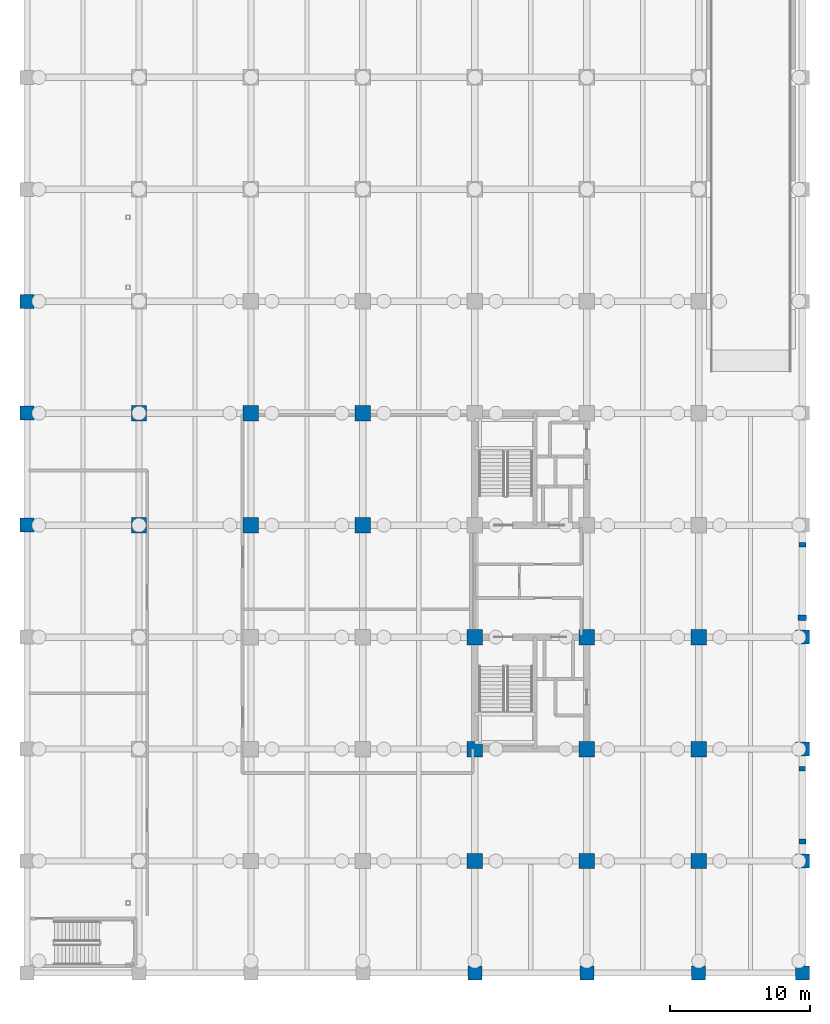
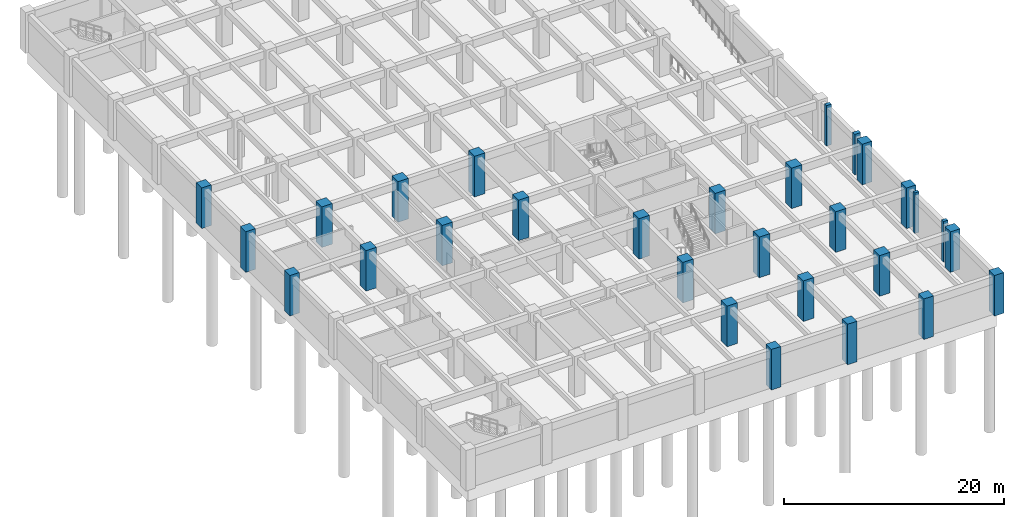
# One storey, part 3 of 15: 29 columns.
"""IFC4 building model written with IfcOpenShell, lengths in metres."""

from ifc_helpers import new_model, si_unit, direction, frame, origin, origin_2d, place, context, subcontext, project, spatial, rectangle, extrude, material, material_profile, profile_set, type_object, element, save


model = new_model("IFC4")

# Units and contexts
model_context = context("Model", 3, precision=1e-05, world=origin(), true_north=direction((0.0, 1.0)))
body_context = subcontext(model_context, "Body", "Model", "MODEL_VIEW")
ifc_project = project(units=[si_unit("LENGTHUNIT", "METRE"), si_unit("AREAUNIT", "SQUARE_METRE"), si_unit("VOLUMEUNIT", "CUBIC_METRE"), si_unit("PLANEANGLEUNIT", "RADIAN"), si_unit("MASSUNIT", "GRAM", prefix="KILO")], contexts=[model_context])

# Site, building, storey
site_placement = place(None, origin())
site = spatial("IfcSite", under=ifc_project, at=site_placement, CompositionType="ELEMENT")
building_placement = place(site_placement, origin())
building = spatial("IfcBuilding", under=site, at=building_placement, Name="Canggui Botanical Conservatory", CompositionType="ELEMENT")
storey_placement = place(building_placement, frame((0.0, 0.0, -9.0)))
storey = spatial("IfcBuildingStorey", under=building, at=storey_placement, Name="B2", CompositionType="ELEMENT", Elevation=-9.0)

# Columns
ifc_material_1 = material(Name="Concrete C50", Category="concrete")
ifc_material_profile_1 = material_profile(ifc_material_1, rectangle(XDim=1.10009765625, YDim=1.10009765625, at=origin_2d()), Name="RC 1100x1100")
ifc_profile_set_1 = profile_set([ifc_material_profile_1], Name="Concrete C50")
column_type_1 = type_object("IfcColumnType", Name="COL-KZ01", PredefinedType="COLUMN", material=ifc_profile_set_1)
for number, where, z_axis, x_axis, name in (
    (1, (130.0, 58.0, 0.0), (0.0, 0.0, 1.0), (1.0, 0.0, 0.0), "Tower RC Column B2 (130,58)"),
    (2, (130.0, 66.0, 0.0), (0.0, 0.0, 1.0), (1.0, 0.0, 0.0), "Tower RC Column B2 (130,66)"),
    (3, (138.0, 58.0, 0.0), (0.0, 0.0, 1.0), (1.0, 0.0, 0.0), "Tower RC Column B2 (138,58)"),
    (4, (138.0, 66.0, 0.0), (0.0, 0.0, 1.0), (1.0, 0.0, 0.0), "Tower RC Column B2 (138,66)"),
    (5, (146.0, 58.0, 0.0), (0.0, 0.0, 1.0), (1.0, 0.0, 0.0), "Tower RC Column B2 (146,58)"),
    (6, (146.0, 66.0, 0.0), (0.0, 0.0, 1.0), (1.0, 0.0, 0.0), "Tower RC Column B2 (146,66)"),
    (7, (154.0, 34.0, 0.0), (0.0, 0.0, 1.0), (1.0, 0.0, 0.0), "Tower RC Column B2 (154,34)"),
    (8, (154.0, 42.0, 0.0), (0.0, 0.0, 1.0), (1.0, 0.0, 0.0), "Tower RC Column B2 (154,42)"),
    (9, (154.0, 50.0, 0.0), (0.0, 0.0, 1.0), (1.0, 0.0, 0.0), "Tower RC Column B2 (154,50)"),
    (10, (162.0, 34.0, 0.0), (0.0, 0.0, 1.0), (1.0, 0.0, 0.0), "Tower RC Column B2 (162,34)"),
    (11, (162.0, 42.0, 0.0), (0.0, 0.0, 1.0), (1.0, 0.0, 0.0), "Tower RC Column B2 (162,42)"),
    (12, (162.0, 50.0, 0.0), (0.0, 0.0, 1.0), (1.0, 0.0, 0.0), "Tower RC Column B2 (162,50)"),
    (13, (170.0, 34.0, 0.0), (0.0, 0.0, 1.0), (1.0, 0.0, 0.0), "Tower RC Column B2 (170,34)"),
    (14, (170.0, 42.0, 0.0), (0.0, 0.0, 1.0), (1.0, 0.0, 0.0), "Tower RC Column B2 (170,42)"),
    (15, (170.0, 50.0, 0.0), (0.0, 0.0, 1.0), (1.0, 0.0, 0.0), "Tower RC Column B2 (170,50)"),
):
    element("IfcColumn", number, at=place(storey_placement, frame(where, z_axis=z_axis, x_axis=x_axis)), inside=storey, type_object=column_type_1, Name=name, PredefinedType="COLUMN", context=body_context, shape_type="SweptSolid", body=[
        extrude(rectangle(XDim=1.10009765625, YDim=1.10009765625, at=origin_2d()), origin(), (0.0, 0.0, 1.0), 4.5),
    ])
ifc_material_profile_2 = material_profile(ifc_material_1, rectangle(XDim=1.0, YDim=1.0, at=origin_2d()), Name="RC 1000x1000")
ifc_profile_set_2 = profile_set([ifc_material_profile_2], Name="Concrete C50")
column_type_2 = type_object("IfcColumnType", Name="COL-KZ03", PredefinedType="COLUMN", material=ifc_profile_set_2)
for number, where, z_axis, x_axis, name in (
    (16, (122.0, 58.0, 0.0), (0.0, 0.0, 1.0), (1.0, 0.0, 0.0), "Tower RC Column B2 (122,58)"),
    (17, (122.0, 66.0, 0.0), (0.0, 0.0, 1.0), (1.0, 0.0, 0.0), "Tower RC Column B2 (122,66)"),
    (18, (122.0, 74.0, 0.0), (0.0, 0.0, 1.0), (1.0, 0.0, 0.0), "Tower RC Column B2 (122,74)"),
    (19, (154.0, 26.0, 0.0), (0.0, 0.0, 1.0), (1.0, 0.0, 0.0), "Tower RC Column B2 (154,26)"),
    (20, (162.0, 26.0, 0.0), (0.0, 0.0, 1.0), (1.0, 0.0, 0.0), "Tower RC Column B2 (162,26)"),
    (21, (170.0, 26.0, 0.0), (0.0, 0.0, 1.0), (1.0, 0.0, 0.0), "Tower RC Column B2 (170,26)"),
    (22, (177.39990234375, 26.0, 0.0), (0.0, 0.0, 1.0), (1.0, 0.0, 0.0), "Tower RC Column B2 (178,26)"),
    (23, (177.39990234375, 34.0, 0.0), (0.0, 0.0, 1.0), (1.0, 0.0, 0.0), "Tower RC Column B2 (178,34)"),
    (24, (177.39990234375, 42.0, 0.0), (0.0, 0.0, 1.0), (1.0, 0.0, 0.0), "Tower RC Column B2 (178,42)"),
    (25, (177.39990234375, 50.0, 0.0), (0.0, 0.0, 1.0), (1.0, 0.0, 0.0), "Tower RC Column B2 (178,50)"),
):
    element("IfcColumn", number, at=place(storey_placement, frame(where, z_axis=z_axis, x_axis=x_axis)), inside=storey, type_object=column_type_2, Name=name, PredefinedType="COLUMN", context=body_context, shape_type="SweptSolid", body=[
        extrude(rectangle(XDim=1.0, YDim=1.0, at=origin_2d()), origin(), (0.0, 0.0, 1.0), 4.5),
    ])
ifc_material_2 = material(Name="Concrete C35", Category="concrete")
ifc_material_profile_3 = material_profile(ifc_material_2, rectangle(XDim=0.39990234375, YDim=0.60009765625, at=origin_2d()), Name="RC 400x600")
ifc_profile_set_3 = profile_set([ifc_material_profile_3], Name="Concrete C35")
column_type_3 = type_object("IfcColumnType", Name="COL-PIL01", PredefinedType="PILASTER", material=ifc_profile_set_3)
column_1_placement = place(storey_placement, frame((177.39990234375, 51.39990234375, 0.0), z_axis=(0.0, 0.0, 1.0), x_axis=(0.0, 1.0, 0.0)))
element("IfcColumn", 26, at=column_1_placement, inside=storey, type_object=column_type_3, Name="Tower East Colonnade Pilaster B2 BZ-03", PredefinedType="PILASTER", context=body_context, shape_type="SweptSolid", body=[
    extrude(rectangle(XDim=0.39990234375, YDim=0.60009765625, at=origin_2d()), origin(), (0.0, 0.0, 1.0), 4.5),
])
ifc_material_profile_4 = material_profile(ifc_material_2, rectangle(XDim=0.35009765625, YDim=0.5, at=origin_2d()), Name="RC 350x500")
ifc_profile_set_4 = profile_set([ifc_material_profile_4], Name="Concrete C35")
column_type_4 = type_object("IfcColumnType", Name="COL-PIL02", PredefinedType="PILASTER", material=ifc_profile_set_4)
for number, where, z_axis, x_axis, name in (
    (27, (177.39990234375, 35.39990234375, 0.0), (0.0, 0.0, 1.0), (0.0, 1.0, 0.0), "Tower East Colonnade Pilaster B2 BZ-01"),
    (28, (177.39990234375, 56.60009765625, 0.0), (0.0, 0.0, 1.0), (0.0, 1.0, 0.0), "Tower East Colonnade Pilaster B2 BZ-04"),
):
    element("IfcColumn", number, at=place(storey_placement, frame(where, z_axis=z_axis, x_axis=x_axis)), inside=storey, type_object=column_type_4, Name=name, PredefinedType="PILASTER", context=body_context, shape_type="SweptSolid", body=[
        extrude(rectangle(XDim=0.35009765625, YDim=0.5, at=origin_2d()), origin(), (0.0, 0.0, 1.0), 4.5),
    ])
ifc_material_profile_5 = material_profile(ifc_material_2, rectangle(XDim=0.300048828125, YDim=0.449951171875, at=origin_2d()), Name="RC 300x450")
ifc_profile_set_5 = profile_set([ifc_material_profile_5], Name="Concrete C35")
column_type_5 = type_object("IfcColumnType", Name="COL-PIL03", PredefinedType="PILASTER", material=ifc_profile_set_5)
column_2_placement = place(storey_placement, frame((177.39990234375, 40.60009765625, 0.0), z_axis=(0.0, 0.0, 1.0), x_axis=(0.0, 1.0, 0.0)))
element("IfcColumn", 29, at=column_2_placement, inside=storey, type_object=column_type_5, Name="Tower East Colonnade Pilaster B2 BZ-02", PredefinedType="PILASTER", context=body_context, shape_type="SweptSolid", body=[
    extrude(rectangle(XDim=0.300048828125, YDim=0.449951171875, at=origin_2d()), origin(), (0.0, 0.0, 1.0), 4.5),
])

save(model, "model.ifc")
